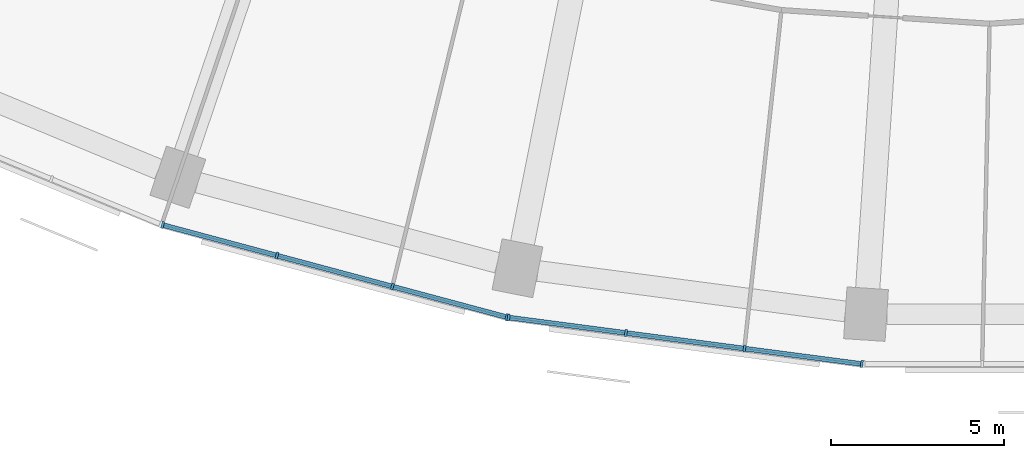
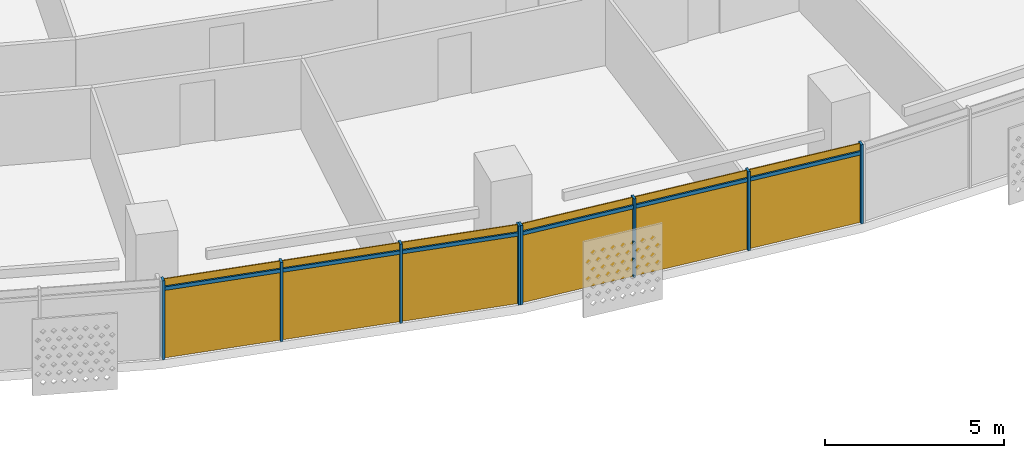
# One storey, part 18 of 29: 14 members, 2 curtain walls.
"""IFC4 building model written with IfcOpenShell, lengths in metres."""

from ifc_helpers import new_model, si_unit, direction, frame, origin, origin_2d, place, context, subcontext, project, spatial, rectangle, extrude, material, material_profile, profile_set, type_object, element, aggregate, save


model = new_model("IFC4")

# Units and contexts
model_context = context("Model", 3, precision=1e-05, world=origin(), true_north=direction((0.0, 1.0)))
body_context = subcontext(model_context, "Body", "Model", "MODEL_VIEW")
ifc_project = project(units=[si_unit("LENGTHUNIT", "METRE"), si_unit("AREAUNIT", "SQUARE_METRE"), si_unit("VOLUMEUNIT", "CUBIC_METRE"), si_unit("PLANEANGLEUNIT", "RADIAN"), si_unit("MASSUNIT", "GRAM", prefix="KILO")], contexts=[model_context])

# Member
ifc_material = material(Name="Aluminium 6063-T6 anodised", Category="aluminium")
ifc_material_profile_1 = material_profile(ifc_material, rectangle(XDim=0.199951171875, YDim=0.070068359375, at=origin_2d()))
ifc_profile_set_1 = profile_set([ifc_material_profile_1], Name="Aluminium 6063-T6 anodised")
member_type_1 = type_object("IfcMemberType", Name="Mullion 70 x 200 aluminium", PredefinedType="MULLION", material=ifc_profile_set_1)
site_placement = place(None, origin())
building_placement = place(site_placement, origin())
storey_placement = place(building_placement, frame((0.0, 0.0, 121.5)))
member_1_placement = place(storey_placement, frame((-25.430419921875, -75.00390625, 0.0), z_axis=(0.0, 0.0, 1.0), x_axis=(0.258819045103, 0.965925826289, 0.0)))
member_1 = element("IfcMember", 1, at=member_1_placement, type_object=member_type_1, Name="e-cw1-L27-out07/M00", PredefinedType="MULLION", context=body_context, shape_type="SweptSolid", body=[
    extrude(rectangle(XDim=0.199951171875, YDim=0.070068359375, at=origin_2d()), origin(), (0.0, 0.0, 1.0), 2.699951171875),
])

member_2_placement = place(storey_placement, frame((-22.12451171875, -75.889892578125, 0.0), z_axis=(0.0, 0.0, 1.0), x_axis=(0.258819045103, 0.965925826289, 0.0)))
member_2 = element("IfcMember", 2, at=member_2_placement, type_object=member_type_1, Name="e-cw1-L27-out07/M01", PredefinedType="MULLION", context=body_context, shape_type="SweptSolid", body=[
    extrude(rectangle(XDim=0.199951171875, YDim=0.070068359375, at=origin_2d()), origin(), (0.0, 0.0, 1.0), 2.699951171875),
])

member_3_placement = place(storey_placement, frame((-18.78466796875, -76.78466796875, 0.0), z_axis=(0.0, 0.0, 1.0), x_axis=(0.258819045103, 0.965925826289, 0.0)))
member_3 = element("IfcMember", 3, at=member_3_placement, type_object=member_type_1, Name="e-cw1-L27-out07/M02", PredefinedType="MULLION", context=body_context, shape_type="SweptSolid", body=[
    extrude(rectangle(XDim=0.199951171875, YDim=0.070068359375, at=origin_2d()), origin(), (0.0, 0.0, 1.0), 2.699951171875),
])

member_4_placement = place(storey_placement, frame((-15.478515625, -77.670654296875, 0.0), z_axis=(0.0, 0.0, 1.0), x_axis=(0.258819045103, 0.965925826289, 0.0)))
member_4 = element("IfcMember", 4, at=member_4_placement, type_object=member_type_1, Name="e-cw1-L27-out07/M03", PredefinedType="MULLION", context=body_context, shape_type="SweptSolid", body=[
    extrude(rectangle(XDim=0.199951171875, YDim=0.070068359375, at=origin_2d()), origin(), (0.0, 0.0, 1.0), 2.699951171875),
])

member_5_placement = place(storey_placement, frame((-15.4228515625, -77.681640625, 0.0), z_axis=(0.0, 0.0, 1.0), x_axis=(0.13052619222, 0.991444861374, 0.0)))
member_5 = element("IfcMember", 5, at=member_5_placement, type_object=member_type_1, Name="e-cw1-L27-out08/M00", PredefinedType="MULLION", context=body_context, shape_type="SweptSolid", body=[
    extrude(rectangle(XDim=0.199951171875, YDim=0.070068359375, at=origin_2d()), origin(), (0.0, 0.0, 1.0), 2.699951171875),
])

member_6_placement = place(storey_placement, frame((-12.029541015625, -78.12841796875, 0.0), z_axis=(0.0, 0.0, 1.0), x_axis=(0.13052619222, 0.991444861374, 0.0)))
member_6 = element("IfcMember", 6, at=member_6_placement, type_object=member_type_1, Name="e-cw1-L27-out08/M01", PredefinedType="MULLION", context=body_context, shape_type="SweptSolid", body=[
    extrude(rectangle(XDim=0.199951171875, YDim=0.070068359375, at=origin_2d()), origin(), (0.0, 0.0, 1.0), 2.699951171875),
])

member_7_placement = place(storey_placement, frame((-8.6015625, -78.579833984375, 0.0), z_axis=(0.0, 0.0, 1.0), x_axis=(0.13052619222, 0.991444861374, 0.0)))
member_7 = element("IfcMember", 7, at=member_7_placement, type_object=member_type_1, Name="e-cw1-L27-out08/M02", PredefinedType="MULLION", context=body_context, shape_type="SweptSolid", body=[
    extrude(rectangle(XDim=0.199951171875, YDim=0.070068359375, at=origin_2d()), origin(), (0.0, 0.0, 1.0), 2.699951171875),
])

member_8_placement = place(storey_placement, frame((-5.2080078125, -79.026611328125, 0.0), z_axis=(0.0, 0.0, 1.0), x_axis=(0.13052619222, 0.991444861374, 0.0)))
member_8 = element("IfcMember", 8, at=member_8_placement, type_object=member_type_1, Name="e-cw1-L27-out08/M03", PredefinedType="MULLION", context=body_context, shape_type="SweptSolid", body=[
    extrude(rectangle(XDim=0.199951171875, YDim=0.070068359375, at=origin_2d()), origin(), (0.0, 0.0, 1.0), 2.699951171875),
])

ifc_material_profile_2 = material_profile(ifc_material, rectangle(XDim=0.139892578125, YDim=0.1201171875, at=origin_2d()))
ifc_profile_set_2 = profile_set([ifc_material_profile_2], Name="Aluminium 6063-T6 anodised")
member_type_2 = type_object("IfcMemberType", Name="Transom 120 x 140 aluminium", PredefinedType="USERDEFINED", material=ifc_profile_set_2)
member_9_placement = place(storey_placement, frame((-25.396728515625, -75.01318359375, 2.39990234375), z_axis=(0.965932125453, -0.258795535157, 0.0), x_axis=(0.258795535157, 0.965932125453, 0.0)))
member_9 = element("IfcMember", 9, at=member_9_placement, type_object=member_type_2, Name="e-cw1-L27-out07/T00", ObjectType="TRANSOM", PredefinedType="USERDEFINED", context=body_context, shape_type="SweptSolid", body=[
    extrude(rectangle(XDim=0.139892578125, YDim=0.1201171875, at=origin_2d()), origin(), (0.0, 0.0, 1.0), 3.352783203125),
])

member_10_placement = place(storey_placement, frame((-22.090576171875, -75.89892578125, 2.39990234375), z_axis=(0.965931646033, -0.258797324547, 0.0), x_axis=(0.258797324547, 0.965931646033, 0.0)))
member_10 = element("IfcMember", 10, at=member_10_placement, type_object=member_type_2, Name="e-cw1-L27-out07/T01", ObjectType="TRANSOM", PredefinedType="USERDEFINED", context=body_context, shape_type="SweptSolid", body=[
    extrude(rectangle(XDim=0.139892578125, YDim=0.1201171875, at=origin_2d()), origin(), (0.0, 0.0, 1.0), 3.3876953125),
])

member_11_placement = place(storey_placement, frame((-18.750732421875, -76.7939453125, 2.39990234375), z_axis=(0.965927247937, -0.258813739382, 0.0), x_axis=(0.258813739382, 0.965927247937, 0.0)))
member_11 = element("IfcMember", 11, at=member_11_placement, type_object=member_type_2, Name="e-cw1-L27-out07/T02", ObjectType="TRANSOM", PredefinedType="USERDEFINED", context=body_context, shape_type="SweptSolid", body=[
    extrude(rectangle(XDim=0.139892578125, YDim=0.1201171875, at=origin_2d()), origin(), (0.0, 0.0, 1.0), 3.3525390625),
])

member_12_placement = place(storey_placement, frame((-15.38818359375, -77.686279296875, 2.39990234375), z_axis=(0.991449089759, -0.130494070426, 0.0), x_axis=(0.130494070426, 0.991449089759, 0.0)))
member_12 = element("IfcMember", 12, at=member_12_placement, type_object=member_type_2, Name="e-cw1-L27-out08/T00", ObjectType="TRANSOM", PredefinedType="USERDEFINED", context=body_context, shape_type="SweptSolid", body=[
    extrude(rectangle(XDim=0.139892578125, YDim=0.1201171875, at=origin_2d()), origin(), (0.0, 0.0, 1.0), 3.3525390625),
])

member_13_placement = place(storey_placement, frame((-11.994873046875, -78.133056640625, 2.39990234375), z_axis=(0.991446198807, -0.130516033004, 0.0), x_axis=(0.130516033004, 0.991446198807, 0.0)))
member_13 = element("IfcMember", 13, at=member_13_placement, type_object=member_type_2, Name="e-cw1-L27-out08/T01", ObjectType="TRANSOM", PredefinedType="USERDEFINED", context=body_context, shape_type="SweptSolid", body=[
    extrude(rectangle(XDim=0.139892578125, YDim=0.1201171875, at=origin_2d()), origin(), (0.0, 0.0, 1.0), 3.3876953125),
])

member_14_placement = place(storey_placement, frame((-8.56689453125, -78.584228515625, 2.39990234375), z_axis=(0.991439665896, -0.130565649721, 0.0), x_axis=(0.130565649721, 0.991439665896, 0.0)))
member_14 = element("IfcMember", 14, at=member_14_placement, type_object=member_type_2, Name="e-cw1-L27-out08/T02", ObjectType="TRANSOM", PredefinedType="USERDEFINED", context=body_context, shape_type="SweptSolid", body=[
    extrude(rectangle(XDim=0.139892578125, YDim=0.1201171875, at=origin_2d()), origin(), (0.0, 0.0, 1.0), 3.352783203125),
])

# Site, building, storey
site = spatial("IfcSite", under=ifc_project, at=site_placement, CompositionType="ELEMENT")
building = spatial("IfcBuilding", under=site, at=building_placement, Name="Qamariyya Broadcast Tower", CompositionType="ELEMENT")
storey = spatial("IfcBuildingStorey", under=building, at=storey_placement, Name="L27", CompositionType="ELEMENT", Elevation=121.5)

# Curtain wall
curtain_wall_type = type_object("IfcCurtainWallType", Name="Unitised curtain wall, anodised aluminium", PredefinedType="NOTDEFINED", material=ifc_material)
curtain_wall_1_placement = place(storey_placement, origin())
curtain_wall_1 = element("IfcCurtainWall", 15, at=curtain_wall_1_placement, inside=storey, type_object=curtain_wall_type, Name="e-cw1-L27-out07", PredefinedType="NOTDEFINED", context=body_context, shape_type="SweptSolid", body=[
    extrude(rectangle(XDim=3.352783203125, YDim=0.031982421875, at=origin_2d()), frame((-23.777587890625, -75.44677734375, 0.0), x_axis=(0.965923677743, -0.258827063454, 0.0)), (0.0, 0.0, 1.0), 2.340087890625),
    extrude(rectangle(XDim=3.352783203125, YDim=0.031982421875, at=origin_2d()), frame((-23.777587890625, -75.44677734375, 2.4599609375), x_axis=(0.965923677743, -0.258827063454, 0.0)), (0.0, 0.0, 1.0), 0.239990234375),
    extrude(rectangle(XDim=3.3876953125, YDim=0.031982421875, at=origin_2d()), frame((-20.45458984375, -76.33740234375, 0.0), x_axis=(0.965923677743, -0.258827063454, 0.0)), (0.0, 0.0, 1.0), 2.340087890625),
    extrude(rectangle(XDim=3.3876953125, YDim=0.031982421875, at=origin_2d()), frame((-20.45458984375, -76.33740234375, 2.4599609375), x_axis=(0.965923677743, -0.258827063454, 0.0)), (0.0, 0.0, 1.0), 0.239990234375),
    extrude(rectangle(XDim=3.352783203125, YDim=0.031982421875, at=origin_2d()), frame((-17.131591796875, -77.227783203125, 0.0), x_axis=(0.965923677743, -0.258827063454, 0.0)), (0.0, 0.0, 1.0), 2.340087890625),
    extrude(rectangle(XDim=3.352783203125, YDim=0.031982421875, at=origin_2d()), frame((-17.131591796875, -77.227783203125, 2.4599609375), x_axis=(0.965923677743, -0.258827063454, 0.0)), (0.0, 0.0, 1.0), 0.239990234375),
])

aggregate(curtain_wall_1, [member_1, member_2, member_3, member_4, member_9, member_10, member_11])

curtain_wall_2_placement = place(storey_placement, origin())
curtain_wall_2 = element("IfcCurtainWall", 16, at=curtain_wall_2_placement, inside=storey, type_object=curtain_wall_type, Name="e-cw1-L27-out08", PredefinedType="NOTDEFINED", context=body_context, shape_type="SweptSolid", body=[
    extrude(rectangle(XDim=3.3525390625, YDim=0.031982421875, at=origin_2d()), frame((-13.72607421875, -77.9052734375, 0.0), x_axis=(0.991447084105, -0.13050930779, 0.0)), (0.0, 0.0, 1.0), 2.340087890625),
    extrude(rectangle(XDim=3.3525390625, YDim=0.031982421875, at=origin_2d()), frame((-13.72607421875, -77.9052734375, 2.4599609375), x_axis=(0.991447084105, -0.13050930779, 0.0)), (0.0, 0.0, 1.0), 0.239990234375),
    extrude(rectangle(XDim=3.3876953125, YDim=0.031982421875, at=origin_2d()), frame((-10.3154296875, -78.35400390625, 0.0), x_axis=(0.991447084105, -0.13050930779, 0.0)), (0.0, 0.0, 1.0), 2.340087890625),
    extrude(rectangle(XDim=3.3876953125, YDim=0.031982421875, at=origin_2d()), frame((-10.3154296875, -78.35400390625, 2.4599609375), x_axis=(0.991447084105, -0.13050930779, 0.0)), (0.0, 0.0, 1.0), 0.239990234375),
    extrude(rectangle(XDim=3.3525390625, YDim=0.031982421875, at=origin_2d()), frame((-6.90478515625, -78.802978515625, 0.0), x_axis=(0.991447084105, -0.13050930779, 0.0)), (0.0, 0.0, 1.0), 2.340087890625),
    extrude(rectangle(XDim=3.3525390625, YDim=0.031982421875, at=origin_2d()), frame((-6.90478515625, -78.802978515625, 2.4599609375), x_axis=(0.991447084105, -0.13050930779, 0.0)), (0.0, 0.0, 1.0), 0.239990234375),
])

aggregate(curtain_wall_2, [member_5, member_6, member_7, member_8, member_12, member_13, member_14])

save(model, "model.ifc")
